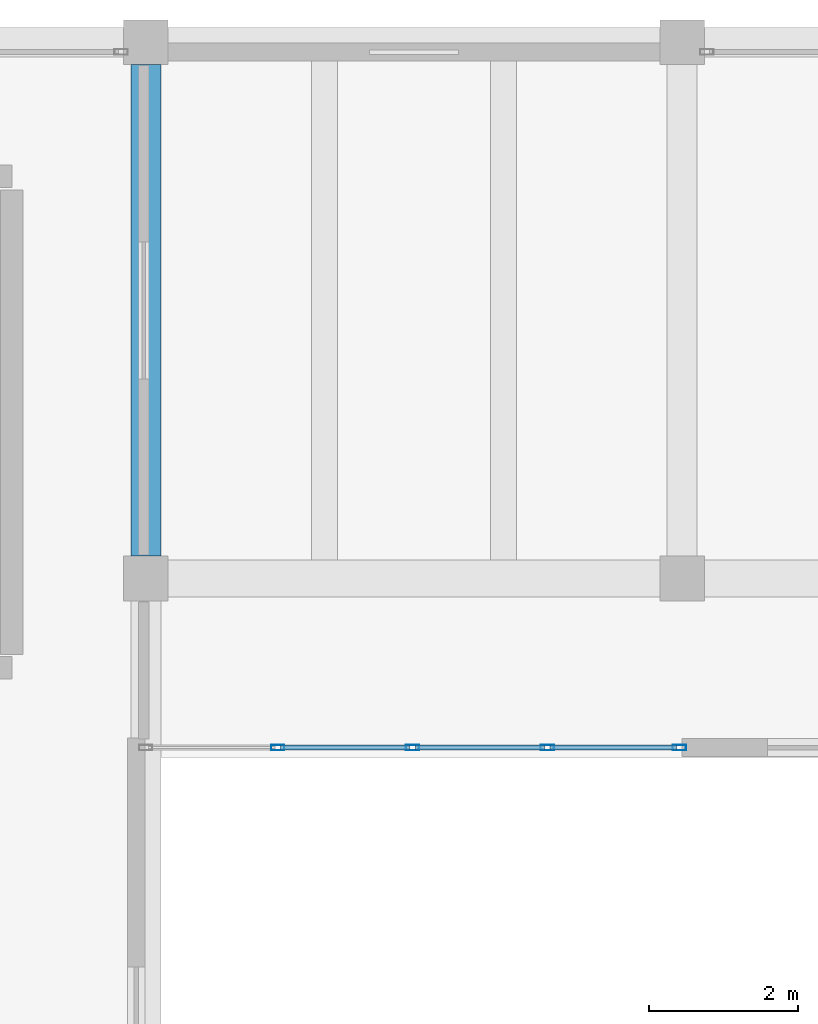
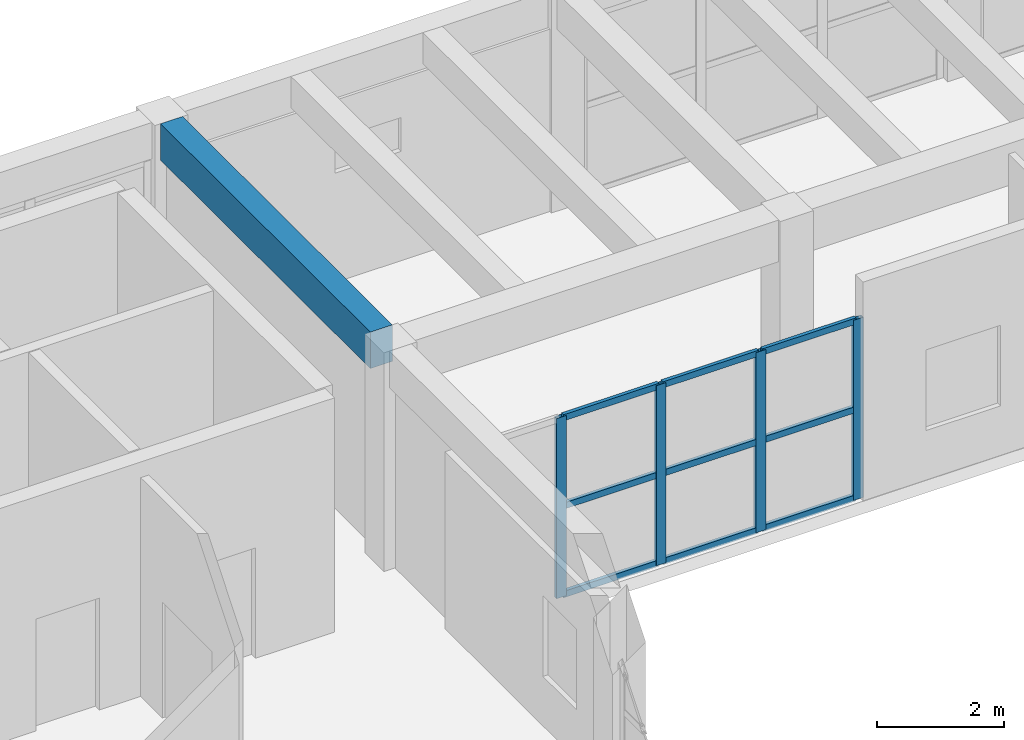
# One storey, part 81 of 153: 13 members, 1 beam, 1 element without a shape of its own.
"""IFC4 building model written with IfcOpenShell, lengths in metres."""

from ifc_helpers import new_model, si_unit, direction, frame, origin, origin_2d, place, context, subcontext, project, spatial, rectangle, hollow_rectangle, extrude, material, material_profile, profile_set, type_object, element, aggregate, save


model = new_model("IFC4")

# Units and contexts
model_context = context("Model", 3, precision=1e-05, world=origin(), true_north=direction((0.0, 1.0)))
body_context = subcontext(model_context, "Body", "Model", "MODEL_VIEW")
ifc_project = project(units=[si_unit("LENGTHUNIT", "METRE"), si_unit("AREAUNIT", "SQUARE_METRE"), si_unit("VOLUMEUNIT", "CUBIC_METRE"), si_unit("PLANEANGLEUNIT", "RADIAN"), si_unit("MASSUNIT", "GRAM", prefix="KILO")], contexts=[model_context])

# Site, building, storey
site_placement = place(None, origin())
site = spatial("IfcSite", under=ifc_project, at=site_placement, CompositionType="ELEMENT")
building_placement = place(site_placement, origin())
building = spatial("IfcBuilding", under=site, at=building_placement, Name="Bramvelor Terrace Health Centre", CompositionType="ELEMENT")
storey_placement = place(building_placement, frame((0.0, 0.0, 4.800048828125)))
storey = spatial("IfcBuildingStorey", under=building, at=storey_placement, Name="L02", CompositionType="ELEMENT", Elevation=4.800048828125)

# Beam
ifc_material_1 = material(Name="Concrete C40/50", Category="concrete")
ifc_material_profile_1 = material_profile(ifc_material_1, rectangle(XDim=0.39990234375, YDim=0.699951171875, at=origin_2d()), Name="RC 400x700")
ifc_profile_set_1 = profile_set([ifc_material_profile_1], Name="Concrete C40/50")
beam_type = type_object("IfcBeamType", Name="BM-RC-G700", PredefinedType="BEAM", material=ifc_profile_set_1)
beam_placement = place(storey_placement, frame((14.39990234375, 108.300048828125, 3.849853515625), z_axis=(0.0, 1.0, 0.0), x_axis=(-1.0, 0.0, 0.0)))
element("IfcBeam", 1, at=beam_placement, inside=storey, type_object=beam_type, Name="L02 Floor Girder", PredefinedType="BEAM", context=body_context, shape_type="SweptSolid", body=[
    extrude(rectangle(XDim=0.39990234375, YDim=0.699951171875, at=origin_2d()), origin(), (0.0, 0.0, 1.0), 6.599853515625),
])

# Curtain wall, members
ifc_material_2 = material(Name="Anodized aluminium and double low-E glass", Category="aluminium")
curtain_wall_type = type_object("IfcCurtainWallType", Name="CW-SYS-23", PredefinedType="NOTDEFINED", material=ifc_material_2)
curtain_wall_placement = place(storey_placement, origin())
curtain_wall = element("IfcCurtainWall", 2, at=curtain_wall_placement, inside=storey, type_object=curtain_wall_type, Name="L02 Unitized Curtain Wall 145", PredefinedType="NOTDEFINED")
ifc_material_3 = material(Name="Anodized aluminium 6063-T6", Category="aluminium")
ifc_material_profile_2 = material_profile(ifc_material_3, hollow_rectangle(XDim=0.074951171875, YDim=0.179931640625, WallThickness=0.00341796875, at=origin_2d()), Name="ALU-MUL 75x180x3.5")
ifc_profile_set_2 = profile_set([ifc_material_profile_2], Name="Anodized aluminium 6063-T6")
member_type_1 = type_object("IfcMemberType", Name="CW-MUL-65x180", PredefinedType="MULLION", material=ifc_profile_set_2)
member_1_placement = place(storey_placement, frame((21.5625, 105.72998046875, 0.0), z_axis=(0.0, 0.0, 1.0), x_axis=(0.0, -1.0, 0.0)))
member_1 = element("IfcMember", 3, at=member_1_placement, type_object=member_type_1, Name="CW-23 mullion 1", PredefinedType="MULLION", context=body_context, shape_type="SweptSolid", body=[
    extrude(hollow_rectangle(XDim=0.074951171875, YDim=0.179931640625, WallThickness=0.00341796875, at=origin_2d()), origin(), (0.0, 0.0, 1.0), 3.4599609375),
])
member_2_placement = place(storey_placement, frame((19.7900390625, 105.72998046875, 0.0), z_axis=(0.0, 0.0, 1.0), x_axis=(0.0, -1.0, 0.0)))
member_2 = element("IfcMember", 4, at=member_2_placement, type_object=member_type_1, Name="CW-23 mullion 2", PredefinedType="MULLION", context=body_context, shape_type="SweptSolid", body=[
    extrude(hollow_rectangle(XDim=0.074951171875, YDim=0.179931640625, WallThickness=0.00341796875, at=origin_2d()), origin(), (0.0, 0.0, 1.0), 3.4599609375),
])
member_3_placement = place(storey_placement, frame((17.97998046875, 105.72998046875, 0.0), z_axis=(0.0, 0.0, 1.0), x_axis=(0.0, -1.0, 0.0)))
member_3 = element("IfcMember", 5, at=member_3_placement, type_object=member_type_1, Name="CW-23 mullion 3", PredefinedType="MULLION", context=body_context, shape_type="SweptSolid", body=[
    extrude(hollow_rectangle(XDim=0.074951171875, YDim=0.179931640625, WallThickness=0.00341796875, at=origin_2d()), origin(), (0.0, 0.0, 1.0), 3.4599609375),
])
member_4_placement = place(storey_placement, frame((16.169921875, 105.72998046875, 0.0), z_axis=(0.0, 0.0, 1.0), x_axis=(0.0, -1.0, 0.0)))
member_4 = element("IfcMember", 6, at=member_4_placement, type_object=member_type_1, Name="CW-23 mullion 4", PredefinedType="MULLION", context=body_context, shape_type="SweptSolid", body=[
    extrude(hollow_rectangle(XDim=0.074951171875, YDim=0.179931640625, WallThickness=0.00341796875, at=origin_2d()), origin(), (0.0, 0.0, 1.0), 3.4599609375),
])
ifc_material_4 = material(Name="Anodized aluminium 6063-T6", Category="aluminium")
ifc_material_profile_3 = material_profile(ifc_material_4, hollow_rectangle(XDim=0.06494140625, YDim=0.1201171875, WallThickness=0.0029296875, at=origin_2d()), Name="ALU-TRN 65x120x3.0")
ifc_profile_set_3 = profile_set([ifc_material_profile_3], Name="Anodized aluminium 6063-T6")
member_type_2 = type_object("IfcMemberType", Name="CW-TRN-65x150", PredefinedType="USERDEFINED", material=ifc_profile_set_3)
member_5_placement = place(storey_placement, frame((21.52490234375, 105.72998046875, 0.032470703125), z_axis=(-1.0, 0.0, 0.0), x_axis=(0.0, -1.0, 0.0)))
member_5 = element("IfcMember", 7, at=member_5_placement, type_object=member_type_2, Name="CW-23 transom 1.1", ObjectType="TRANSOM", PredefinedType="USERDEFINED", context=body_context, shape_type="SweptSolid", body=[
    extrude(hollow_rectangle(XDim=0.06494140625, YDim=0.1201171875, WallThickness=0.0029296875, at=origin_2d()), origin(), (0.0, 0.0, 1.0), 1.697509765625),
])
member_6_placement = place(storey_placement, frame((21.52490234375, 105.72998046875, 1.72998046875), z_axis=(-1.0, 0.0, 0.0), x_axis=(0.0, -1.0, 0.0)))
member_6 = element("IfcMember", 8, at=member_6_placement, type_object=member_type_2, Name="CW-23 transom 1.2", ObjectType="TRANSOM", PredefinedType="USERDEFINED", context=body_context, shape_type="SweptSolid", body=[
    extrude(hollow_rectangle(XDim=0.06494140625, YDim=0.1201171875, WallThickness=0.0029296875, at=origin_2d()), origin(), (0.0, 0.0, 1.0), 1.697509765625),
])
member_7_placement = place(storey_placement, frame((21.52490234375, 105.72998046875, 3.427490234375), z_axis=(-1.0, 0.0, 0.0), x_axis=(0.0, -1.0, 0.0)))
member_7 = element("IfcMember", 9, at=member_7_placement, type_object=member_type_2, Name="CW-23 transom 1.3", ObjectType="TRANSOM", PredefinedType="USERDEFINED", context=body_context, shape_type="SweptSolid", body=[
    extrude(hollow_rectangle(XDim=0.06494140625, YDim=0.1201171875, WallThickness=0.0029296875, at=origin_2d()), origin(), (0.0, 0.0, 1.0), 1.697509765625),
])
member_8_placement = place(storey_placement, frame((19.75244140625, 105.72998046875, 0.032470703125), z_axis=(-1.0, 0.0, 0.0), x_axis=(0.0, -1.0, 0.0)))
member_8 = element("IfcMember", 10, at=member_8_placement, type_object=member_type_2, Name="CW-23 transom 2.1", ObjectType="TRANSOM", PredefinedType="USERDEFINED", context=body_context, shape_type="SweptSolid", body=[
    extrude(hollow_rectangle(XDim=0.06494140625, YDim=0.1201171875, WallThickness=0.0029296875, at=origin_2d()), origin(), (0.0, 0.0, 1.0), 1.73486328125),
])
member_9_placement = place(storey_placement, frame((19.75244140625, 105.72998046875, 1.72998046875), z_axis=(-1.0, 0.0, 0.0), x_axis=(0.0, -1.0, 0.0)))
member_9 = element("IfcMember", 11, at=member_9_placement, type_object=member_type_2, Name="CW-23 transom 2.2", ObjectType="TRANSOM", PredefinedType="USERDEFINED", context=body_context, shape_type="SweptSolid", body=[
    extrude(hollow_rectangle(XDim=0.06494140625, YDim=0.1201171875, WallThickness=0.0029296875, at=origin_2d()), origin(), (0.0, 0.0, 1.0), 1.73486328125),
])
member_10_placement = place(storey_placement, frame((19.75244140625, 105.72998046875, 3.427490234375), z_axis=(-1.0, 0.0, 0.0), x_axis=(0.0, -1.0, 0.0)))
member_10 = element("IfcMember", 12, at=member_10_placement, type_object=member_type_2, Name="CW-23 transom 2.3", ObjectType="TRANSOM", PredefinedType="USERDEFINED", context=body_context, shape_type="SweptSolid", body=[
    extrude(hollow_rectangle(XDim=0.06494140625, YDim=0.1201171875, WallThickness=0.0029296875, at=origin_2d()), origin(), (0.0, 0.0, 1.0), 1.73486328125),
])
member_11_placement = place(storey_placement, frame((17.9423828125, 105.72998046875, 0.032470703125), z_axis=(-1.0, 0.0, 0.0), x_axis=(0.0, -1.0, 0.0)))
member_11 = element("IfcMember", 13, at=member_11_placement, type_object=member_type_2, Name="CW-23 transom 3.1", ObjectType="TRANSOM", PredefinedType="USERDEFINED", context=body_context, shape_type="SweptSolid", body=[
    extrude(hollow_rectangle(XDim=0.06494140625, YDim=0.1201171875, WallThickness=0.0029296875, at=origin_2d()), origin(), (0.0, 0.0, 1.0), 1.73486328125),
])
member_12_placement = place(storey_placement, frame((17.9423828125, 105.72998046875, 1.72998046875), z_axis=(-1.0, 0.0, 0.0), x_axis=(0.0, -1.0, 0.0)))
member_12 = element("IfcMember", 14, at=member_12_placement, type_object=member_type_2, Name="CW-23 transom 3.2", ObjectType="TRANSOM", PredefinedType="USERDEFINED", context=body_context, shape_type="SweptSolid", body=[
    extrude(hollow_rectangle(XDim=0.06494140625, YDim=0.1201171875, WallThickness=0.0029296875, at=origin_2d()), origin(), (0.0, 0.0, 1.0), 1.73486328125),
])
member_13_placement = place(storey_placement, frame((17.9423828125, 105.72998046875, 3.427490234375), z_axis=(-1.0, 0.0, 0.0), x_axis=(0.0, -1.0, 0.0)))
member_13 = element("IfcMember", 15, at=member_13_placement, type_object=member_type_2, Name="CW-23 transom 3.3", ObjectType="TRANSOM", PredefinedType="USERDEFINED", context=body_context, shape_type="SweptSolid", body=[
    extrude(hollow_rectangle(XDim=0.06494140625, YDim=0.1201171875, WallThickness=0.0029296875, at=origin_2d()), origin(), (0.0, 0.0, 1.0), 1.73486328125),
])
aggregate(curtain_wall, [member_1, member_2, member_3, member_4, member_5, member_6, member_7, member_8, member_9, member_10, member_11, member_12, member_13])

save(model, "model.ifc")
